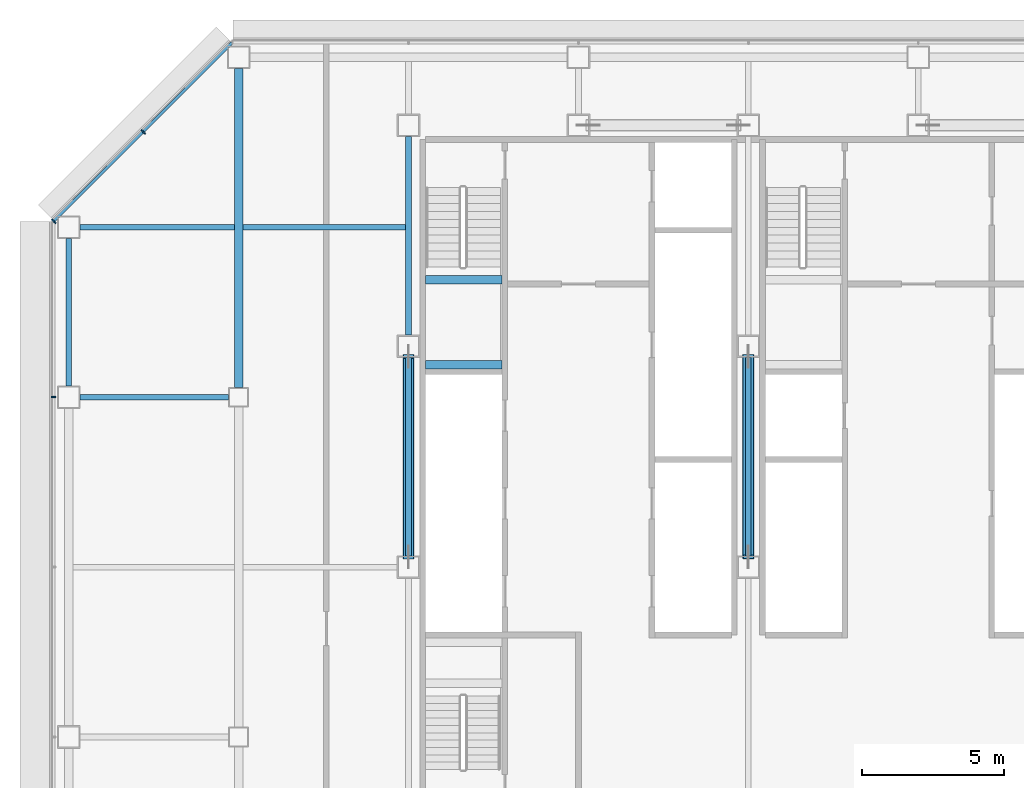
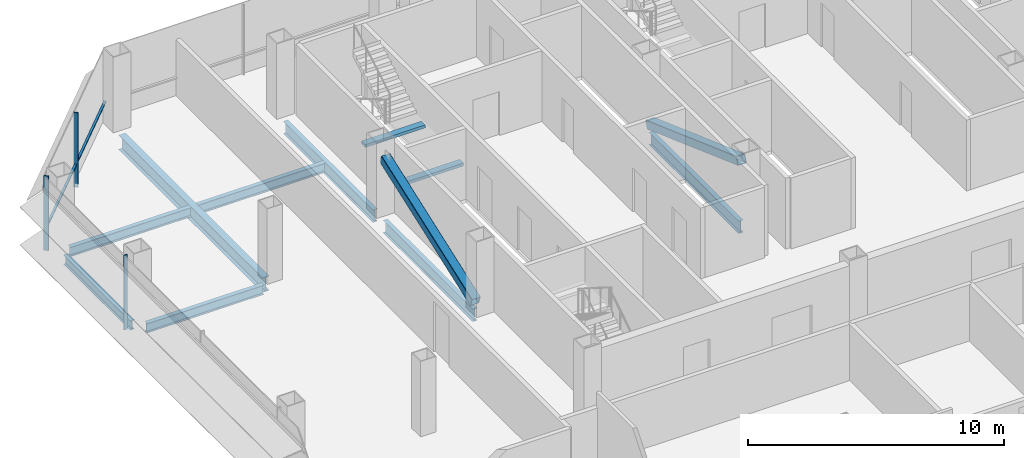
# One storey, part 11 of 26: 10 beams, 6 members, 2 elements without a shape of their own.
"""IFC4 building model written with IfcOpenShell, lengths in metres."""

from ifc_helpers import new_model, si_unit, direction, frame, origin, origin_2d, place, context, subcontext, project, spatial, rectangle, hollow_rectangle, i_section, extrude, material, material_profile, profile_set, type_object, element, aggregate, save


model = new_model("IFC4")

# Units and contexts
model_context = context("Model", 3, precision=1e-05, world=origin(), true_north=direction((0.0, 1.0)))
body_context = subcontext(model_context, "Body", "Model", "MODEL_VIEW")
ifc_project = project(units=[si_unit("LENGTHUNIT", "METRE"), si_unit("AREAUNIT", "SQUARE_METRE"), si_unit("VOLUMEUNIT", "CUBIC_METRE"), si_unit("PLANEANGLEUNIT", "RADIAN"), si_unit("MASSUNIT", "GRAM", prefix="KILO")], contexts=[model_context])

# Site, building, storey
site_placement = place(None, origin())
site = spatial("IfcSite", under=ifc_project, at=site_placement, CompositionType="ELEMENT")
building_placement = place(site_placement, origin())
building = spatial("IfcBuilding", under=site, at=building_placement, Name="Sorahane Residences", CompositionType="ELEMENT")
storey_placement = place(building_placement, frame((0.0, 0.0, 110.60009765625)))
storey = spatial("IfcBuildingStorey", under=building, at=storey_placement, Name="L24", CompositionType="ELEMENT", Elevation=110.60009765625)

# Members
ifc_material_1 = material(Name="Steel Q355B", Category="steel")
ifc_material_profile_1 = material_profile(ifc_material_1, hollow_rectangle(XDim=0.39990234375, YDim=0.39990234375, WallThickness=0.02001953125, InnerFilletRadius=0.010009765625, OuterFilletRadius=0.030029296875, at=origin_2d()), Name="RHS 400x400x20")
ifc_profile_set_1 = profile_set([ifc_material_profile_1], Name="Steel Q355B")
member_type_1 = type_object("IfcMemberType", Name="Core brace RHS 400x400x20 Q355B", PredefinedType="BRACE", material=ifc_profile_set_1)
for number, where, z_axis, x_axis, name in (
    (1, (6.0, 30.359130859375, 0.18505859375), (0.0, 0.940454311489, 0.339920120032), (-1.0, 0.0, 0.0), "Core brace L24 x6-2"),
    (2, (18.0, 37.440673828125, 0.18505859375), (0.0, -0.940454311489, 0.339920120032), (1.0, 0.0, 0.0), "Core brace L24 x18-1"),
):
    element("IfcMember", number, at=place(storey_placement, frame(where, z_axis=z_axis, x_axis=x_axis)), inside=storey, type_object=member_type_1, Name=name, PredefinedType="BRACE", context=body_context, shape_type="SweptSolid", body=[
        extrude(hollow_rectangle(XDim=0.39990234375, YDim=0.39990234375, WallThickness=0.02001953125, InnerFilletRadius=0.010009765625, OuterFilletRadius=0.030029296875, at=origin_2d()), origin(), (0.0, 0.0, 1.0), 7.530029296875),
    ])

# Curtain wall, member
ifc_material_2 = material(Name="Dark low-e glass and black anodised aluminium", Category="aluminium")
curtain_wall_type_1 = type_object("IfcCurtainWallType", Name="Curtain wall CW-1 Typical unitised wall", PredefinedType="NOTDEFINED", material=ifc_material_2)
curtain_wall_1_placement = place(storey_placement, origin())
curtain_wall_1 = element("IfcCurtainWall", 3, at=curtain_wall_1_placement, inside=storey, type_object=curtain_wall_type_1, Name="CW-1 curtain wall L24 W1", PredefinedType="NOTDEFINED")
ifc_material_3 = material(Name="Black anodised aluminium", Category="aluminium")
ifc_material_profile_2 = material_profile(ifc_material_3, rectangle(XDim=0.159912109375, YDim=0.050048828125, at=origin_2d()), Name="Curtain wall mullion CW-1 black anodised aluminium 50x160")
ifc_profile_set_2 = profile_set([ifc_material_profile_2], Name="Black anodised aluminium")
member_type_2 = type_object("IfcMemberType", Name="Curtain wall mullion CW-1 black anodised aluminium 50x160", PredefinedType="MULLION", material=ifc_profile_set_2)
member_1_placement = place(storey_placement, frame((-6.5400390625, 36.0, -0.18017578125), z_axis=(0.0, 0.0, 1.0), x_axis=(-1.0, 0.0, 0.0)))
member_1 = element("IfcMember", 4, at=member_1_placement, type_object=member_type_2, Name="CW-1 mullion L24 W1.2", PredefinedType="MULLION", context=body_context, shape_type="SweptSolid", body=[
    extrude(rectangle(XDim=0.159912109375, YDim=0.050048828125, at=origin_2d()), origin(), (0.0, 0.0, 1.0), 3.56005859375),
])
aggregate(curtain_wall_1, [member_1])

# Curtain wall, members
ifc_material_4 = material(Name="Dark low-e glass and black anodised aluminium", Category="aluminium")
curtain_wall_type_2 = type_object("IfcCurtainWallType", Name="Curtain wall CW-2 Chamfer unitised wall", PredefinedType="NOTDEFINED", material=ifc_material_4)
curtain_wall_2_placement = place(storey_placement, origin())
curtain_wall_2 = element("IfcCurtainWall", 5, at=curtain_wall_2_placement, inside=storey, type_object=curtain_wall_type_2, Name="CW-2 curtain wall L24 NW1", PredefinedType="NOTDEFINED")
ifc_material_5 = material(Name="Black anodised aluminium", Category="aluminium")
ifc_material_profile_3 = material_profile(ifc_material_5, rectangle(XDim=0.199951171875, YDim=0.050048828125, at=origin_2d()), Name="Curtain wall mullion CW-2 black anodised aluminium 50x200")
ifc_profile_set_3 = profile_set([ifc_material_profile_3], Name="Black anodised aluminium")
member_type_3 = type_object("IfcMemberType", Name="Curtain wall mullion CW-2 black anodised aluminium 50x200", PredefinedType="MULLION", material=ifc_profile_set_3)
member_2_placement = place(storey_placement, frame((-3.36767578125, 45.36767578125, -0.18017578125), z_axis=(0.0, 0.0, 1.0), x_axis=(-0.707106781187, 0.707106781187, 0.0)))
member_2 = element("IfcMember", 6, at=member_2_placement, type_object=member_type_3, Name="CW-2 mullion L24 NW1.2", PredefinedType="MULLION", context=body_context, shape_type="SweptSolid", body=[
    extrude(rectangle(XDim=0.199951171875, YDim=0.050048828125, at=origin_2d()), origin(), (0.0, 0.0, 1.0), 3.56005859375),
])
member_3_placement = place(storey_placement, frame((-6.525634765625, 42.209716796875, -0.18017578125), z_axis=(0.0, 0.0, 1.0), x_axis=(-0.707106781187, 0.707106781187, 0.0)))
member_3 = element("IfcMember", 7, at=member_3_placement, type_object=member_type_3, Name="CW-2 mullion L24 NW1.3", PredefinedType="MULLION", context=body_context, shape_type="SweptSolid", body=[
    extrude(rectangle(XDim=0.199951171875, YDim=0.050048828125, at=origin_2d()), origin(), (0.0, 0.0, 1.0), 3.56005859375),
])
ifc_material_6 = material(Name="Black anodised aluminium", Category="aluminium")
ifc_material_profile_4 = material_profile(ifc_material_6, rectangle(XDim=0.10009765625, YDim=0.06005859375, at=origin_2d()), Name="Curtain wall transom CW-2 black anodised aluminium 60x100")
ifc_profile_set_4 = profile_set([ifc_material_profile_4], Name="Black anodised aluminium")
member_type_4 = type_object("IfcMemberType", Name="Curtain wall transom CW-2 black anodised aluminium 60x100", PredefinedType="USERDEFINED", material=ifc_profile_set_4)
member_4_placement = place(storey_placement, frame((-0.234375, 48.51513671875, 0.89990234375), z_axis=(-0.707106781187, -0.707106781187, 0.0), x_axis=(0.707106781187, -0.707106781187, 0.0)))
member_4 = element("IfcMember", 8, at=member_4_placement, type_object=member_type_4, Name="CW-2 transom L24 NW1", ObjectType="TRANSOM", PredefinedType="USERDEFINED", context=body_context, shape_type="SweptSolid", body=[
    extrude(rectangle(XDim=0.10009765625, YDim=0.06005859375, at=origin_2d()), origin(), (0.0, 0.0, 1.0), 8.88232421875),
])
aggregate(curtain_wall_2, [member_2, member_3, member_4])

# Beams
ifc_material_7 = material(Name="Concrete C40", Category="concrete")
ifc_material_profile_5 = material_profile(ifc_material_7, rectangle(XDim=0.300048828125, YDim=0.139892578125, at=origin_2d()), Name="300x140")
ifc_profile_set_5 = profile_set([ifc_material_profile_5], Name="Concrete C40")
beam_type_1 = type_object("IfcBeamType", Name="RC landing beam 300 x 140 Concrete C40", PredefinedType="BEAM", material=ifc_profile_set_5)
for number, where, z_axis, x_axis, name in (
    (9, (6.60009765625, 37.14990234375, 1.52978515625), (1.0, 0.0, 0.0), (0.0, 1.0, 0.0), "Landing beam"),
    (10, (6.60009765625, 40.14990234375, 1.52978515625), (1.0, 0.0, 0.0), (0.0, 1.0, 0.0), "Landing beam"),
):
    element("IfcBeam", number, at=place(storey_placement, frame(where, z_axis=z_axis, x_axis=x_axis)), inside=storey, type_object=beam_type_1, Name=name, PredefinedType="BEAM", context=body_context, shape_type="SweptSolid", body=[
        extrude(rectangle(XDim=0.300048828125, YDim=0.139892578125, at=origin_2d()), origin(), (0.0, 0.0, 1.0), 2.699951171875),
    ])
ifc_material_8 = material(Name="Steel Q355B", Category="steel")
ifc_material_profile_6 = material_profile(ifc_material_8, i_section(OverallWidth=0.199951171875, OverallDepth=0.449951171875, WebThickness=0.009033203125, FlangeThickness=0.013916015625, FilletRadius=0.02001953125, at=origin_2d()), Name="HN 450x200x9x14")
ifc_profile_set_6 = profile_set([ifc_material_profile_6], Name="Steel Q355B")
beam_type_2 = type_object("IfcBeamType", Name="Steel floor beam HN 450x200x9x14 Q355B", PredefinedType="BEAM", material=ifc_profile_set_6)
beam_1_placement = place(storey_placement, frame((-5.60009765625, 36.0, -0.405029296875), z_axis=(1.0, 0.0, 0.0), x_axis=(0.0, 1.0, 0.0)))
element("IfcBeam", 11, at=beam_1_placement, inside=storey, type_object=beam_type_2, Name="Beam L24 013", PredefinedType="BEAM", context=body_context, shape_type="SweptSolid", body=[
    extrude(i_section(OverallWidth=0.199951171875, OverallDepth=0.449951171875, WebThickness=0.009033203125, FlangeThickness=0.013916015625, FilletRadius=0.02001953125, at=origin_2d()), origin(), (0.0, 0.0, 1.0), 5.25),
])
beam_2_placement = place(storey_placement, frame((-6.0, 36.39990234375, -0.405029296875), z_axis=(0.0, 1.0, 0.0), x_axis=(-1.0, 0.0, 0.0)))
element("IfcBeam", 12, at=beam_2_placement, inside=storey, type_object=beam_type_2, Name="Beam L24 023", PredefinedType="BEAM", context=body_context, shape_type="SweptSolid", body=[
    extrude(i_section(OverallWidth=0.199951171875, OverallDepth=0.449951171875, WebThickness=0.009033203125, FlangeThickness=0.013916015625, FilletRadius=0.02001953125, at=origin_2d()), origin(), (0.0, 0.0, 1.0), 5.2001953125),
])
beam_3_placement = place(storey_placement, frame((-5.60009765625, 42.0, -0.405029296875), z_axis=(1.0, 0.0, 0.0), x_axis=(0.0, 1.0, 0.0)))
element("IfcBeam", 13, at=beam_3_placement, inside=storey, type_object=beam_type_2, Name="Beam L24 089", PredefinedType="BEAM", context=body_context, shape_type="SweptSolid", body=[
    extrude(i_section(OverallWidth=0.199951171875, OverallDepth=0.449951171875, WebThickness=0.009033203125, FlangeThickness=0.013916015625, FilletRadius=0.02001953125, at=origin_2d()), origin(), (0.0, 0.0, 1.0), 5.4501953125),
])
beam_4_placement = place(storey_placement, frame((0.14990234375, 42.0, -0.405029296875), z_axis=(1.0, 0.0, 0.0), x_axis=(0.0, 1.0, 0.0)))
element("IfcBeam", 14, at=beam_4_placement, inside=storey, type_object=beam_type_2, Name="Beam L24 090", PredefinedType="BEAM", context=body_context, shape_type="SweptSolid", body=[
    extrude(i_section(OverallWidth=0.199951171875, OverallDepth=0.449951171875, WebThickness=0.009033203125, FlangeThickness=0.013916015625, FilletRadius=0.02001953125, at=origin_2d()), origin(), (0.0, 0.0, 1.0), 5.75),
])
ifc_material_9 = material(Name="Steel Q355B", Category="steel")
ifc_material_profile_7 = material_profile(ifc_material_9, i_section(OverallWidth=0.199951171875, OverallDepth=0.60009765625, WebThickness=0.010986328125, FlangeThickness=0.01708984375, FilletRadius=0.02392578125, at=origin_2d()), Name="HN 600x200x11x17")
ifc_profile_set_7 = profile_set([ifc_material_profile_7], Name="Steel Q355B")
beam_type_3 = type_object("IfcBeamType", Name="Steel floor beam HN 600x200x11x17 Q355B", PredefinedType="BEAM", material=ifc_profile_set_7)
for number, where, z_axis, x_axis, name in (
    (15, (6.0, 30.39990234375, -0.47998046875), (0.0, 1.0, 0.0), (-1.0, 0.0, 0.0), "Beam L24 031"),
    (16, (6.0, 38.199951171875, -0.47998046875), (0.0, 1.0, 0.0), (-1.0, 0.0, 0.0), "Beam L24 032"),
    (17, (18.0, 30.39990234375, -0.47998046875), (0.0, 1.0, 0.0), (-1.0, 0.0, 0.0), "Beam L24 039"),
):
    element("IfcBeam", number, at=place(storey_placement, frame(where, z_axis=z_axis, x_axis=x_axis)), inside=storey, type_object=beam_type_3, Name=name, PredefinedType="BEAM", context=body_context, shape_type="SweptSolid", body=[
        extrude(i_section(OverallWidth=0.199951171875, OverallDepth=0.60009765625, WebThickness=0.010986328125, FlangeThickness=0.01708984375, FilletRadius=0.02392578125, at=origin_2d()), origin(), (0.0, 0.0, 1.0), 7.0),
    ])
ifc_material_10 = material(Name="Steel Q355B", Category="steel")
ifc_material_profile_8 = material_profile(ifc_material_10, i_section(OverallWidth=0.300048828125, OverallDepth=0.699951171875, WebThickness=0.012939453125, FlangeThickness=0.02392578125, FilletRadius=0.028076171875, at=origin_2d()), Name="HN 700x300x13x24")
ifc_profile_set_8 = profile_set([ifc_material_profile_8], Name="Steel Q355B")
beam_type_4 = type_object("IfcBeamType", Name="Steel floor beam HN 700x300x13x24 Q355B", PredefinedType="BEAM", material=ifc_profile_set_8)
beam_5_placement = place(storey_placement, frame((0.0, 36.35009765625, -0.530029296875), z_axis=(0.0, 1.0, 0.0), x_axis=(-1.0, 0.0, 0.0)))
element("IfcBeam", 18, at=beam_5_placement, inside=storey, type_object=beam_type_4, Name="Beam L24 027", PredefinedType="BEAM", context=body_context, shape_type="SweptSolid", body=[
    extrude(i_section(OverallWidth=0.300048828125, OverallDepth=0.699951171875, WebThickness=0.012939453125, FlangeThickness=0.02392578125, FilletRadius=0.028076171875, at=origin_2d()), origin(), (0.0, 0.0, 1.0), 11.25),
])

save(model, "model.ifc")
